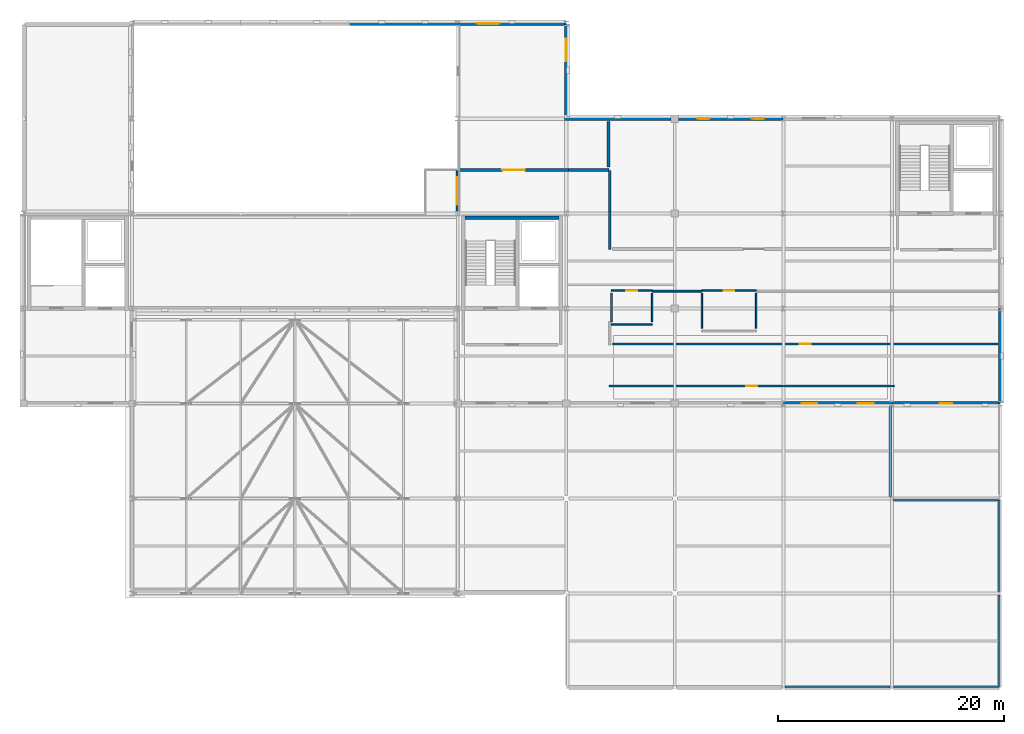
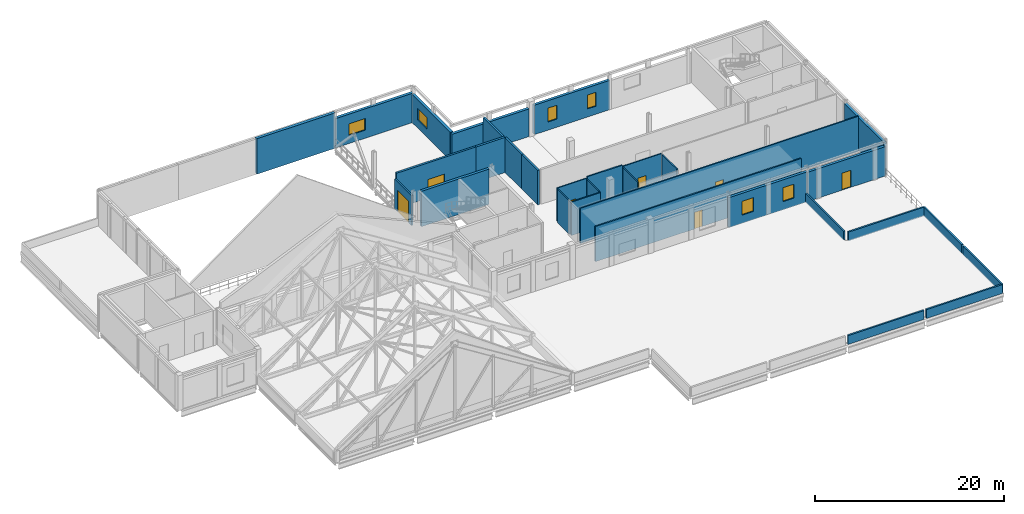
# One storey, part 23 of 26: 31 walls, 7 doors, 6 windows, 13 openings.
"""IFC4 building model written with IfcOpenShell, lengths in metres."""

from ifc_helpers import new_model, si_unit, direction, frame, frame_2d, origin, place, context, subcontext, project, spatial, rectangle, extrude, material, layer, layer_set, type_object, element, fill, save


model = new_model("IFC4")

# Units and contexts
model_context = context("Model", 3, precision=1e-05, world=origin(), true_north=direction((0.0, 1.0)))
body_context = subcontext(model_context, "Body", "Model", "MODEL_VIEW")
ifc_project = project(units=[si_unit("LENGTHUNIT", "METRE"), si_unit("AREAUNIT", "SQUARE_METRE"), si_unit("VOLUMEUNIT", "CUBIC_METRE"), si_unit("PLANEANGLEUNIT", "RADIAN"), si_unit("MASSUNIT", "GRAM", prefix="KILO")], contexts=[model_context])

# Site, building, storey
site_placement = place(None, origin())
site = spatial("IfcSite", under=ifc_project, at=site_placement, CompositionType="ELEMENT")
building_placement = place(site_placement, origin())
building = spatial("IfcBuilding", under=site, at=building_placement, Name="Lornevale Opera House", CompositionType="ELEMENT")
storey_placement = place(building_placement, frame((0.0, 0.0, 19.800048828125)))
storey = spatial("IfcBuildingStorey", under=building, at=storey_placement, Name="L05", CompositionType="ELEMENT", Elevation=19.800048828125)

# Wall, opening, door
ifc_material_1 = material(Name="Acoustic Mineral-Core Gypsum Partition", Category="gypsum")
ifc_layer_1 = layer(ifc_material_1, 0.25)
ifc_layer_set_1 = layer_set([ifc_layer_1], Name="Acoustic Mineral-Core Gypsum Partition")
wall_type_1 = type_object("IfcWallType", Name="Auditorium Box-in-Box Liner 250", PredefinedType="SOLIDWALL", material=ifc_layer_set_1)
wall_1_placement = place(storey_placement, frame((96.091064453125, 71.06005859375, 0.0), z_axis=(0.0, 0.0, 1.0), x_axis=(1.0, 0.0, 0.0)))
wall_1 = element("IfcWall", 1, at=wall_1_placement, inside=storey, type_object=wall_type_1, Name="L05 Partition WL-INT-0898", PredefinedType="SOLIDWALL", context=body_context, shape_type="SweptSolid", body=[
    extrude(rectangle(XDim=9.708984375, YDim=0.25, at=frame_2d((4.8544921875, 0.0))), origin(), (0.0, 0.0, 1.0), 4.550048828125),
])
opening_1_placement = place(wall_1_placement, frame((3.85498046875, 0.0, 0.0)))
opening_1 = element("IfcOpeningElement", 2, at=opening_1_placement, cuts=wall_1, Name="Opening DR-T14", PredefinedType="OPENING", context=body_context, shape_type="SweptSolid", body=[
    extrude(rectangle(XDim=2.0, YDim=2.39990234375, at=frame_2d((1.0, 1.199951171875))), frame((0.0, 0.135009765625, 0.0), z_axis=(0.0, -1.0, 0.0), x_axis=(1.0, 0.0, 0.0)), (0.0, 0.0, 1.0), 0.27001953125),
])
ifc_material_2 = material(Name="White Oak Acoustic Panelling", Category="wood")
ifc_layer_2 = layer(ifc_material_2, 2.39990234375)
ifc_layer_set_2 = layer_set([ifc_layer_2], Name="White Oak Acoustic Panelling")
door_type_1 = type_object("IfcDoorType", Name="Auditorium Acoustic Sound-Lock Pair 2000x2400", OperationType="NOTDEFINED", PredefinedType="DOOR", material=ifc_layer_set_2)
door_1_placement = place(opening_1_placement, origin())
door_1 = element("IfcDoor", 3, at=door_1_placement, inside=storey, type_object=door_type_1, Name="Auditorium AHU Plant Room Door", OperationType="DOUBLE_SWING_LEFT", OverallHeight=2.39990234375, OverallWidth=2.0, PredefinedType="DOOR", context=body_context, shape_type="SweptSolid", body=[
    extrude(rectangle(XDim=2.0, YDim=2.39990234375, at=frame_2d((1.0, 1.199951171875))), frame((0.0, 0.02490234375, 0.0), z_axis=(0.0, -1.0, 0.0), x_axis=(1.0, 0.0, 0.0)), (0.0, 0.0, 1.0), 0.050048828125),
])
fill(opening_1, door_1)

# Walls
wall_2_placement = place(storey_placement, frame((105.800048828125, 71.06005859375, 0.0), z_axis=(0.0, 0.0, 1.0), x_axis=(1.0, 0.0, 0.0)))
element("IfcWall", 4, at=wall_2_placement, inside=storey, type_object=wall_type_1, Name="L05 Partition WL-INT-0899", PredefinedType="SOLIDWALL", context=body_context, shape_type="SweptSolid", body=[
    extrude(rectangle(XDim=3.599853515625, YDim=0.25, at=frame_2d((1.7998046875, 0.0))), origin(), (0.0, 0.0, 1.0), 4.550048828125),
])
wall_3_placement = place(storey_placement, frame((109.340087890625, 71.31005859375, 0.0), z_axis=(0.0, 0.0, 1.0), x_axis=(0.0, 1.0, 0.0)))
element("IfcWall", 5, at=wall_3_placement, inside=storey, type_object=wall_type_1, Name="L05 Partition WL-INT-0904", PredefinedType="SOLIDWALL", context=body_context, shape_type="SweptSolid", body=[
    extrude(rectangle(XDim=4.0400390625, YDim=0.25, at=frame_2d((2.02001953125, 0.0))), origin(), (0.0, 0.0, 1.0), 4.47998046875),
])

# Wall, openings, windows
ifc_material_3 = material(Name="Queenston Buff Limestone Ashlar Masonry (25 MPa)", Category="masonry")
ifc_layer_3 = layer(ifc_material_3, 0.324951171875)
ifc_layer_set_3 = layer_set([ifc_layer_3], Name="Queenston Buff Limestone Ashlar Masonry (25 MPa)")
wall_type_2 = type_object("IfcWallType", Name="Backstage Limestone Facade Wall 325", PredefinedType="SOLIDWALL", material=ifc_layer_set_3)
wall_4_placement = place(storey_placement, frame((115.52490234375, 75.60009765625, 0.0), z_axis=(0.0, 0.0, 1.0), x_axis=(1.0, 0.0, 0.0)))
wall_4 = element("IfcWall", 6, at=wall_4_placement, inside=storey, type_object=wall_type_2, Name="Backstage Limestone Facade Wall 325 WL-EXT-0286", PredefinedType="SOLIDWALL", context=body_context, shape_type="SweptSolid", body=[
    extrude(rectangle(XDim=9.255126953125, YDim=0.324951171875, at=frame_2d((4.62744140625, 0.0))), origin(), (0.0, 0.0, 1.0), 3.806884765625),
])
opening_2_placement = place(wall_4_placement, frame((1.6708984375, 0.0, 1.050048828125)))
opening_2 = element("IfcOpeningElement", 7, at=opening_2_placement, cuts=wall_4, Name="Opening WN-T06", PredefinedType="OPENING", context=body_context, shape_type="SweptSolid", body=[
    extrude(rectangle(XDim=1.10009765625, YDim=1.800048828125, at=frame_2d((0.550048828125, 0.89990234375))), frame((0.0, 0.17236328125, 0.0), z_axis=(0.0, -1.0, 0.0), x_axis=(1.0, 0.0, 0.0)), (0.0, 0.0, 1.0), 0.344970703125),
])
opening_3_placement = place(wall_4_placement, frame((6.48388671875, 0.0, 1.050048828125)))
opening_3 = element("IfcOpeningElement", 8, at=opening_3_placement, cuts=wall_4, Name="Opening WN-T06", PredefinedType="OPENING", context=body_context, shape_type="SweptSolid", body=[
    extrude(rectangle(XDim=1.10009765625, YDim=1.800048828125, at=frame_2d((0.550048828125, 0.89990234375))), frame((0.0, 0.17236328125, 0.0), z_axis=(0.0, -1.0, 0.0), x_axis=(1.0, 0.0, 0.0)), (0.0, 0.0, 1.0), 0.344970703125),
])
ifc_material_4 = material(Name="Triple Low-E Insulated Glazing", Category="glass")
ifc_layer_4 = layer(ifc_material_4, 0.06005859375)
ifc_layer_set_4 = layer_set([ifc_layer_4], Name="Triple Low-E Insulated Glazing")
window_type_1 = type_object("IfcWindowType", Name="Dressing Suite Operable Window 1100x1800", PartitioningType="NOTDEFINED", PredefinedType="WINDOW", material=ifc_layer_set_4)
window_1_placement = place(opening_2_placement, origin())
window_1 = element("IfcWindow", 9, at=window_1_placement, inside=storey, type_object=window_type_1, Name="Dressing Suite Operable Window 1100x1800 WN-0117", OverallHeight=1.800048828125, OverallWidth=1.10009765625, PartitioningType="SINGLE_PANEL", PredefinedType="WINDOW", context=body_context, shape_type="SweptSolid", body=[
    extrude(rectangle(XDim=1.10009765625, YDim=1.800048828125, at=frame_2d((0.550048828125, 0.89990234375))), frame((0.0, 0.030029296875, 0.0), z_axis=(0.0, -1.0, 0.0), x_axis=(1.0, 0.0, 0.0)), (0.0, 0.0, 1.0), 0.06005859375),
])
fill(opening_2, window_1)
window_2_placement = place(opening_3_placement, origin())
window_2 = element("IfcWindow", 10, at=window_2_placement, inside=storey, type_object=window_type_1, Name="Dressing Suite Operable Window 1100x1800 WN-0118", OverallHeight=1.800048828125, OverallWidth=1.10009765625, PartitioningType="SINGLE_PANEL", PredefinedType="WINDOW", context=body_context, shape_type="SweptSolid", body=[
    extrude(rectangle(XDim=1.10009765625, YDim=1.800048828125, at=frame_2d((0.550048828125, 0.89990234375))), frame((0.0, 0.030029296875, 0.0), z_axis=(0.0, -1.0, 0.0), x_axis=(1.0, 0.0, 0.0)), (0.0, 0.0, 1.0), 0.06005859375),
])
fill(opening_3, window_2)

wall_5_placement = place(storey_placement, frame((134.3798828125, 50.39990234375, 0.0), z_axis=(0.0, 0.0, 1.0), x_axis=(-1.0, 0.0, 0.0)))
wall_5 = element("IfcWall", 11, at=wall_5_placement, inside=storey, type_object=wall_type_2, Name="Backstage Limestone Facade Wall 325 WL-EXT-0287", PredefinedType="SOLIDWALL", context=body_context, shape_type="SweptSolid", body=[
    extrude(rectangle(XDim=9.559814453125, YDim=0.324951171875, at=frame_2d((4.77978515625, 0.0))), origin(), (0.0, 0.0, 1.0), 3.876953125),
])
opening_4_placement = place(wall_5_placement, frame((1.593994140625, 0.0, 1.050048828125)))
opening_4 = element("IfcOpeningElement", 12, at=opening_4_placement, cuts=wall_5, Name="Opening WN-T05", PredefinedType="OPENING", context=body_context, shape_type="SweptSolid", body=[
    extrude(rectangle(XDim=1.39990234375, YDim=1.800048828125, at=frame_2d((0.699951171875, 0.89990234375))), frame((0.0, 0.17236328125, 0.0), z_axis=(0.0, -1.0, 0.0), x_axis=(1.0, 0.0, 0.0)), (0.0, 0.0, 1.0), 0.344970703125),
])
opening_5_placement = place(wall_5_placement, frame((6.56591796875, 0.0, 1.050048828125)))
opening_5 = element("IfcOpeningElement", 13, at=opening_5_placement, cuts=wall_5, Name="Opening WN-T05", PredefinedType="OPENING", context=body_context, shape_type="SweptSolid", body=[
    extrude(rectangle(XDim=1.39990234375, YDim=1.800048828125, at=frame_2d((0.699951171875, 0.89990234375))), frame((0.0, 0.17236328125, 0.0), z_axis=(0.0, -1.0, 0.0), x_axis=(1.0, 0.0, 0.0)), (0.0, 0.0, 1.0), 0.344970703125),
])
ifc_layer_5 = layer(ifc_material_4, 0.06005859375)
ifc_layer_set_5 = layer_set([ifc_layer_5], Name="Triple Low-E Insulated Glazing")
window_type_2 = type_object("IfcWindowType", Name="Dressing Suite Operable Window 1400x1800", PartitioningType="NOTDEFINED", PredefinedType="WINDOW", material=ifc_layer_set_5)
window_3_placement = place(opening_4_placement, origin())
window_3 = element("IfcWindow", 14, at=window_3_placement, inside=storey, type_object=window_type_2, Name="Dressing Suite Operable Window 1400x1800 WN-0119", OverallHeight=1.800048828125, OverallWidth=1.39990234375, PartitioningType="SINGLE_PANEL", PredefinedType="WINDOW", context=body_context, shape_type="SweptSolid", body=[
    extrude(rectangle(XDim=1.39990234375, YDim=1.800048828125, at=frame_2d((0.699951171875, 0.89990234375))), frame((0.0, 0.030029296875, 0.0), z_axis=(0.0, -1.0, 0.0), x_axis=(1.0, 0.0, 0.0)), (0.0, 0.0, 1.0), 0.06005859375),
])
fill(opening_4, window_3)
window_4_placement = place(opening_5_placement, origin())
window_4 = element("IfcWindow", 15, at=window_4_placement, inside=storey, type_object=window_type_2, Name="Dressing Suite Operable Window 1400x1800 WN-0120", OverallHeight=1.800048828125, OverallWidth=1.39990234375, PartitioningType="SINGLE_PANEL", PredefinedType="WINDOW", context=body_context, shape_type="SweptSolid", body=[
    extrude(rectangle(XDim=1.39990234375, YDim=1.800048828125, at=frame_2d((0.699951171875, 0.89990234375))), frame((0.0, 0.030029296875, 0.0), z_axis=(0.0, -1.0, 0.0), x_axis=(1.0, 0.0, 0.0)), (0.0, 0.0, 1.0), 0.06005859375),
])
fill(opening_5, window_4)

# Wall, opening, door
wall_6_placement = place(storey_placement, frame((143.97998046875, 50.39990234375, 0.0), z_axis=(0.0, 0.0, 1.0), x_axis=(-1.0, 0.0, 0.0)))
wall_6 = element("IfcWall", 16, at=wall_6_placement, inside=storey, type_object=wall_type_2, Name="Backstage Limestone Facade Wall 325 WL-EXT-0289", PredefinedType="SOLIDWALL", context=body_context, shape_type="SweptSolid", body=[
    extrude(rectangle(XDim=9.56005859375, YDim=0.324951171875, at=frame_2d((4.780029296875, 0.0))), origin(), (0.0, 0.0, 1.0), 3.799072265625),
])
opening_6_placement = place(wall_6_placement, frame((4.219970703125, 0.0, 0.0)))
opening_6 = element("IfcOpeningElement", 17, at=opening_6_placement, cuts=wall_6, Name="Opening DR-T04", PredefinedType="OPENING", context=body_context, shape_type="SweptSolid", body=[
    extrude(rectangle(XDim=1.1201171875, YDim=2.199951171875, at=frame_2d((0.56005859375, 1.10009765625))), frame((0.0, 0.17236328125, 0.0), z_axis=(0.0, -1.0, 0.0), x_axis=(1.0, 0.0, 0.0)), (0.0, 0.0, 1.0), 0.344970703125),
])
ifc_material_5 = material(Name="Anodized Oxide-Green Aluminium Framing", Category="aluminium")
ifc_layer_6 = layer(ifc_material_5, 0.050048828125)
ifc_layer_set_6 = layer_set([ifc_layer_6], Name="Anodized Oxide-Green Aluminium Framing")
door_type_2 = type_object("IfcDoorType", Name="Roof Garden Access Door 1120x2200", OperationType="NOTDEFINED", PredefinedType="DOOR", material=ifc_layer_set_6)
door_2_placement = place(opening_6_placement, origin())
door_2 = element("IfcDoor", 18, at=door_2_placement, inside=storey, type_object=door_type_2, Name="Roof Garden Access Door 1120x2200 DR-EXT-043", OperationType="SINGLE_SWING_RIGHT", OverallHeight=2.199951171875, OverallWidth=1.1201171875, PredefinedType="DOOR", context=body_context, shape_type="SweptSolid", body=[
    extrude(rectangle(XDim=1.1201171875, YDim=2.199951171875, at=frame_2d((0.56005859375, 1.10009765625))), frame((0.0, 0.02490234375, 0.0), z_axis=(0.0, -1.0, 0.0), x_axis=(1.0, 0.0, 0.0)), (0.0, 0.0, 1.0), 0.050048828125),
])
fill(opening_6, door_2)

# Walls
wall_7_placement = place(storey_placement, frame((144.0, 58.780029296875, 0.0), z_axis=(0.0, 0.0, 1.0), x_axis=(0.0, -1.0, 0.0)))
element("IfcWall", 19, at=wall_7_placement, inside=storey, type_object=wall_type_2, Name="Backstage Limestone Facade Wall 325 WL-EXT-0290", PredefinedType="SOLIDWALL", context=body_context, shape_type="SweptSolid", body=[
    extrude(rectangle(XDim=8.360107421875, YDim=0.324951171875, at=frame_2d((4.18017578125, 0.0))), origin(), (0.0, 0.0, 1.0), 4.248046875),
])
ifc_material_6 = material(Name="Concrete 40 MPa (CSA A23.1 C-1)", Category="concrete")
ifc_layer_7 = layer(ifc_material_6, 0.320068359375)
ifc_layer_set_7 = layer_set([ifc_layer_7], Name="Concrete 40 MPa (CSA A23.1 C-1)")
wall_type_3 = type_object("IfcWallType", Name="Core Shear Wall 320", PredefinedType="SHEAR", material=ifc_layer_set_7)
wall_8_placement = place(storey_placement, frame((104.93994140625, 66.840087890625, 0.0), z_axis=(0.0, 0.0, 1.0), x_axis=(-1.0, 0.0, 0.0)))
element("IfcWall", 20, at=wall_8_placement, inside=storey, type_object=wall_type_3, Name="Stagehouse Firefighter Core West Core Shear Wall 320 WL-COR-0241", PredefinedType="SHEAR", context=body_context, shape_type="SweptSolid", body=[
    extrude(rectangle(XDim=8.280029296875, YDim=0.320068359375, at=frame_2d((4.14013671875, 0.0))), origin(), (0.0, 0.0, 1.0), 4.579833984375),
])

# Wall, opening, door
ifc_layer_8 = layer(ifc_material_1, 0.1650390625)
ifc_layer_set_8 = layer_set([ifc_layer_8], Name="Acoustic Mineral-Core Gypsum Partition")
wall_type_4 = type_object("IfcWallType", Name="Corridor Rated Partition 165", PredefinedType="PARTITIONING", material=ifc_layer_set_8)
wall_9_placement = place(storey_placement, frame((95.93994140625, 67.39990234375, 0.0), z_axis=(0.0, 0.0, 1.0), x_axis=(0.0, 1.0, 0.0)))
wall_9 = element("IfcWall", 21, at=wall_9_placement, inside=storey, type_object=wall_type_4, Name="L05 Partition WL-INT-0893", PredefinedType="PARTITIONING", context=body_context, shape_type="SweptSolid", body=[
    extrude(rectangle(XDim=3.580078125, YDim=0.1650390625, at=frame_2d((1.7900390625, 0.0))), origin(), (0.0, 0.0, 1.0), 3.876953125),
])
opening_7_placement = place(wall_9_placement, frame((0.590087890625, 0.0, 0.0)))
opening_7 = element("IfcOpeningElement", 22, at=opening_7_placement, cuts=wall_9, Name="Opening DR-T16", PredefinedType="OPENING", context=body_context, shape_type="SweptSolid", body=[
    extrude(rectangle(XDim=2.39990234375, YDim=2.800048828125, at=frame_2d((1.199951171875, 1.39990234375))), frame((0.0, 0.092529296875, 0.0), z_axis=(0.0, -1.0, 0.0), x_axis=(1.0, 0.0, 0.0)), (0.0, 0.0, 1.0), 0.18505859375),
])
ifc_material_7 = material(Name="Painted Hollow Metal Door Steel", Category="steel")
ifc_layer_9 = layer(ifc_material_7, 2.800048828125)
ifc_layer_set_9 = layer_set([ifc_layer_9], Name="Painted Hollow Metal Door Steel")
door_type_3 = type_object("IfcDoorType", Name="Stage Scenery Double Door 2400x2800", OperationType="NOTDEFINED", PredefinedType="DOOR", material=ifc_layer_set_9)
door_3_placement = place(opening_7_placement, origin())
door_3 = element("IfcDoor", 23, at=door_3_placement, inside=storey, type_object=door_type_3, Name="Fly Tower Loading Gallery Door", OperationType="DOUBLE_SWING_LEFT", OverallHeight=2.800048828125, OverallWidth=2.39990234375, PredefinedType="DOOR", context=body_context, shape_type="SweptSolid", body=[
    extrude(rectangle(XDim=2.39990234375, YDim=2.800048828125, at=frame_2d((1.199951171875, 1.39990234375))), frame((0.0, 0.02490234375, 0.0), z_axis=(0.0, -1.0, 0.0), x_axis=(1.0, 0.0, 0.0)), (0.0, 0.0, 1.0), 0.050048828125),
])
fill(opening_7, door_3)

wall_10_placement = place(storey_placement, frame((109.39990234375, 51.93994140625, 0.0), z_axis=(0.0, 0.0, 1.0), x_axis=(1.0, 0.0, 0.0)))
wall_10 = element("IfcWall", 24, at=wall_10_placement, inside=storey, type_object=wall_type_4, Name="L05 Partition WL-INT-0894", PredefinedType="PARTITIONING", context=body_context, shape_type="SweptSolid", body=[
    extrude(rectangle(XDim=25.2001953125, YDim=0.1650390625, at=frame_2d((12.60009765625, 0.0))), origin(), (0.0, 0.0, 1.0), 4.550048828125),
])
opening_8_placement = place(wall_10_placement, frame((12.125, 0.0, 0.0)))
opening_8 = element("IfcOpeningElement", 25, at=opening_8_placement, cuts=wall_10, Name="Opening DR-T20", PredefinedType="OPENING", context=body_context, shape_type="SweptSolid", body=[
    extrude(rectangle(XDim=0.949951171875, YDim=2.14990234375, at=frame_2d((0.47509765625, 1.074951171875))), frame((0.0, 0.092529296875, 0.0), z_axis=(0.0, -1.0, 0.0), x_axis=(1.0, 0.0, 0.0)), (0.0, 0.0, 1.0), 0.18505859375),
])
ifc_layer_10 = layer(ifc_material_2, 2.14990234375)
ifc_layer_set_10 = layer_set([ifc_layer_10], Name="White Oak Acoustic Panelling")
door_type_4 = type_object("IfcDoorType", Name="Soloist Dressing Door R 950x2150", OperationType="NOTDEFINED", PredefinedType="DOOR", material=ifc_layer_set_10)
door_4_placement = place(opening_8_placement, origin())
door_4 = element("IfcDoor", 26, at=door_4_placement, inside=storey, type_object=door_type_4, Name="Artistic & Production Administration Office Door", OperationType="SINGLE_SWING_RIGHT", OverallHeight=2.14990234375, OverallWidth=0.949951171875, PredefinedType="DOOR", context=body_context, shape_type="SweptSolid", body=[
    extrude(rectangle(XDim=0.949951171875, YDim=2.14990234375, at=frame_2d((0.47509765625, 1.074951171875))), frame((0.0, 0.02490234375, 0.0), z_axis=(0.0, -1.0, 0.0), x_axis=(1.0, 0.0, 0.0)), (0.0, 0.0, 1.0), 0.050048828125),
])
fill(opening_8, door_4)

# Wall
wall_11_placement = place(storey_placement, frame((113.260009765625, 60.340087890625, 0.0), z_axis=(0.0, 0.0, 1.0), x_axis=(1.0, 0.0, 0.0)))
element("IfcWall", 27, at=wall_11_placement, inside=storey, type_object=wall_type_4, Name="L05 Partition WL-INT-0901", PredefinedType="PARTITIONING", context=body_context, shape_type="SweptSolid", body=[
    extrude(rectangle(XDim=4.280029296875, YDim=0.1650390625, at=frame_2d((2.14013671875, 0.0))), origin(), (0.0, 0.0, 1.0), 4.550048828125),
])

# Wall, opening, door
wall_12_placement = place(storey_placement, frame((109.7099609375, 55.659912109375, 0.0), z_axis=(0.0, 0.0, 1.0), x_axis=(1.0, 0.0, 0.0)))
wall_12 = element("IfcWall", 28, at=wall_12_placement, inside=storey, type_object=wall_type_4, Name="L05 Partition WL-INT-0903", PredefinedType="PARTITIONING", context=body_context, shape_type="SweptSolid", body=[
    extrude(rectangle(XDim=34.0400390625, YDim=0.1650390625, at=frame_2d((17.02001953125, 0.0))), origin(), (0.0, 0.0, 1.0), 4.550048828125),
])
opening_9_placement = place(wall_12_placement, frame((16.544921875, 0.0, 0.0)))
opening_9 = element("IfcOpeningElement", 29, at=opening_9_placement, cuts=wall_12, Name="Opening DR-T19", PredefinedType="OPENING", context=body_context, shape_type="SweptSolid", body=[
    extrude(rectangle(XDim=0.949951171875, YDim=2.14990234375, at=frame_2d((0.47509765625, 1.074951171875))), frame((0.0, 0.092529296875, 0.0), z_axis=(0.0, -1.0, 0.0), x_axis=(1.0, 0.0, 0.0)), (0.0, 0.0, 1.0), 0.18505859375),
])
ifc_layer_11 = layer(ifc_material_2, 2.14990234375)
ifc_layer_set_11 = layer_set([ifc_layer_11], Name="White Oak Acoustic Panelling")
door_type_5 = type_object("IfcDoorType", Name="Soloist Dressing Door L 950x2150", OperationType="NOTDEFINED", PredefinedType="DOOR", material=ifc_layer_set_11)
door_5_placement = place(opening_9_placement, origin())
door_5 = element("IfcDoor", 30, at=door_5_placement, inside=storey, type_object=door_type_5, Name="Production Dramaturgy Office Door", OperationType="SINGLE_SWING_LEFT", OverallHeight=2.14990234375, OverallWidth=0.949951171875, PredefinedType="DOOR", context=body_context, shape_type="SweptSolid", body=[
    extrude(rectangle(XDim=0.949951171875, YDim=2.14990234375, at=frame_2d((0.47509765625, 1.074951171875))), frame((0.0, 0.02490234375, 0.0), z_axis=(0.0, -1.0, 0.0), x_axis=(1.0, 0.0, 0.0)), (0.0, 0.0, 1.0), 0.050048828125),
])
fill(opening_9, door_5)

# Walls
ifc_material_8 = material(Name="Precast Concrete 40 MPa (CSA A23.1 C-1)", Category="concrete")
ifc_layer_12 = layer(ifc_material_8, 0.360107421875)
ifc_layer_set_12 = layer_set([ifc_layer_12], Name="Precast Concrete 40 MPa (CSA A23.1 C-1)")
wall_type_5 = type_object("IfcWallType", Name="Fly Tower Acoustic Precast Wall 360", PredefinedType="SOLIDWALL", material=ifc_layer_set_12)
wall_13_placement = place(storey_placement, frame((86.405029296875, 84.0, 0.0), z_axis=(0.0, 0.0, 1.0), x_axis=(1.0, 0.0, 0.0)))
element("IfcWall", 31, at=wall_13_placement, inside=storey, type_object=wall_type_5, Name="Fly Tower Acoustic Precast Wall 360 WL-EXT-0278", PredefinedType="SOLIDWALL", context=body_context, shape_type="SweptSolid", body=[
    extrude(rectangle(XDim=9.574951171875, YDim=0.360107421875, at=frame_2d((4.78759765625, 0.0))), origin(), (0.0, 0.0, 1.0), 4.579833984375),
])
ifc_layer_13 = layer(ifc_material_8, 0.195068359375)
ifc_layer_set_13 = layer_set([ifc_layer_13], Name="Precast Concrete 40 MPa (CSA A23.1 C-1)")
wall_type_6 = type_object("IfcWallType", Name="Green Roof Parapet Wall 195", PredefinedType="PARAPET", material=ifc_layer_set_13)
wall_14_placement = place(storey_placement, frame((134.27001953125, 50.239990234375, 0.0), z_axis=(0.0, 0.0, 1.0), x_axis=(0.0, -1.0, 0.0)))
element("IfcWall", 32, at=wall_14_placement, inside=storey, type_object=wall_type_6, Name="Green Roof Parapet Wall 195 0470", PredefinedType="PARAPET", context=body_context, shape_type="SweptSolid", body=[
    extrude(rectangle(XDim=8.080078125, YDim=0.195068359375, at=frame_2d((4.0400390625, 0.0))), origin(), (0.0, 0.0, 1.0), 1.14990234375),
])
wall_15_placement = place(storey_placement, frame((134.56005859375, 41.8701171875, 0.0), z_axis=(0.0, 0.0, 1.0), x_axis=(1.0, 0.0, 0.0)))
element("IfcWall", 33, at=wall_15_placement, inside=storey, type_object=wall_type_6, Name="Green Roof Parapet Wall 195 0471", PredefinedType="PARAPET", context=body_context, shape_type="SweptSolid", body=[
    extrude(rectangle(XDim=9.280029296875, YDim=0.195068359375, at=frame_2d((4.64013671875, 0.0))), origin(), (0.0, 0.0, 1.0), 1.14990234375),
])
wall_16_placement = place(storey_placement, frame((143.8701171875, 41.840087890625, 0.0), z_axis=(0.0, 0.0, 1.0), x_axis=(0.0, -1.0, 0.0)))
element("IfcWall", 34, at=wall_16_placement, inside=storey, type_object=wall_type_6, Name="Green Roof Parapet Wall 195 0472", PredefinedType="PARAPET", context=body_context, shape_type="SweptSolid", body=[
    extrude(rectangle(XDim=8.080078125, YDim=0.195068359375, at=frame_2d((4.0400390625, 0.0))), origin(), (0.0, 0.0, 1.0), 1.14990234375),
])
wall_17_placement = place(storey_placement, frame((143.8701171875, 33.43994140625, 0.0), z_axis=(0.0, 0.0, 1.0), x_axis=(0.0, -1.0, 0.0)))
element("IfcWall", 35, at=wall_17_placement, inside=storey, type_object=wall_type_6, Name="Green Roof Parapet Wall 195 0473", PredefinedType="PARAPET", context=body_context, shape_type="SweptSolid", body=[
    extrude(rectangle(XDim=8.079833984375, YDim=0.195068359375, at=frame_2d((4.0400390625, 0.0))), origin(), (0.0, 0.0, 1.0), 1.14990234375),
])
for number, where, z_axis, x_axis, name in (
    (36, (143.840087890625, 25.330078125, 0.0), (0.0, 0.0, 1.0), (-1.0, 0.0, 0.0), "Green Roof Parapet Wall 195 0474"),
    (37, (134.239990234375, 25.330078125, 0.0), (0.0, 0.0, 1.0), (-1.0, 0.0, 0.0), "Green Roof Parapet Wall 195 0475"),
):
    element("IfcWall", number, at=place(storey_placement, frame(where, z_axis=z_axis, x_axis=x_axis)), inside=storey, type_object=wall_type_6, Name=name, PredefinedType="PARAPET", context=body_context, shape_type="SweptSolid", body=[
        extrude(rectangle(XDim=9.280029296875, YDim=0.195068359375, at=frame_2d((4.64013671875, 0.0))), origin(), (0.0, 0.0, 1.0), 1.14990234375),
    ])

# Wall, opening, window
ifc_material_9 = material(Name="Credit Valley Sandstone Ashlar Masonry (25 MPa)", Category="masonry")
ifc_layer_14 = layer(ifc_material_9, 0.340087890625)
ifc_layer_set_14 = layer_set([ifc_layer_14], Name="Credit Valley Sandstone Ashlar Masonry (25 MPa)")
wall_type_7 = type_object("IfcWallType", Name="Polychrome Drum Cavity Wall 340", PredefinedType="SOLIDWALL", material=ifc_layer_set_14)
wall_18_placement = place(storey_placement, frame((96.02001953125, 84.0, 0.0), z_axis=(0.0, 0.0, 1.0), x_axis=(1.0, 0.0, 0.0)))
wall_18 = element("IfcWall", 38, at=wall_18_placement, inside=storey, type_object=wall_type_7, Name="Polychrome Drum Cavity Wall 340 WL-EXT-0281", PredefinedType="SOLIDWALL", context=body_context, shape_type="SweptSolid", body=[
    extrude(rectangle(XDim=9.56005859375, YDim=0.340087890625, at=frame_2d((4.780029296875, 0.0))), origin(), (0.0, 0.0, 1.0), 3.799072265625),
])
opening_10_placement = place(wall_18_placement, frame((1.677001953125, 0.0, 1.050048828125)))
opening_10 = element("IfcOpeningElement", 39, at=opening_10_placement, cuts=wall_18, Name="Opening WN-T11", PredefinedType="OPENING", context=body_context, shape_type="SweptSolid", body=[
    extrude(rectangle(XDim=2.0, YDim=1.5, at=frame_2d((1.0, 0.75))), frame((0.0, 0.179931640625, 0.0), z_axis=(0.0, -1.0, 0.0), x_axis=(1.0, 0.0, 0.0)), (0.0, 0.0, 1.0), 0.360107421875),
])
ifc_layer_15 = layer(ifc_material_4, 0.06005859375)
ifc_layer_set_15 = layer_set([ifc_layer_15], Name="Triple Low-E Insulated Glazing")
window_type_3 = type_object("IfcWindowType", Name="Workshop Operable Window 2000x1500", PartitioningType="NOTDEFINED", PredefinedType="WINDOW", material=ifc_layer_set_15)
window_5_placement = place(opening_10_placement, origin())
window_5 = element("IfcWindow", 40, at=window_5_placement, inside=storey, type_object=window_type_3, Name="Workshop Operable Window 2000x1500 WN-0113", OverallHeight=1.5, OverallWidth=2.0, PartitioningType="SINGLE_PANEL", PredefinedType="WINDOW", context=body_context, shape_type="SweptSolid", body=[
    extrude(rectangle(XDim=2.0, YDim=1.5, at=frame_2d((1.0, 0.75))), frame((0.0, 0.030029296875, 0.0), z_axis=(0.0, -1.0, 0.0), x_axis=(1.0, 0.0, 0.0)), (0.0, 0.0, 1.0), 0.06005859375),
])
fill(opening_10, window_5)

wall_19_placement = place(storey_placement, frame((105.60009765625, 83.97998046875, 0.0), z_axis=(0.0, 0.0, 1.0), x_axis=(0.0, -1.0, 0.0)))
wall_19 = element("IfcWall", 41, at=wall_19_placement, inside=storey, type_object=wall_type_7, Name="Polychrome Drum Cavity Wall 340 WL-EXT-0282", PredefinedType="SOLIDWALL", context=body_context, shape_type="SweptSolid", body=[
    extrude(rectangle(XDim=8.21337890625, YDim=0.340087890625, at=frame_2d((4.106689453125, 0.0))), origin(), (0.0, 0.0, 1.0), 3.64599609375),
])
opening_11_placement = place(wall_19_placement, frame((1.300048828125, 0.0, 1.050048828125)))
opening_11 = element("IfcOpeningElement", 42, at=opening_11_placement, cuts=wall_19, Name="Opening WN-T11", PredefinedType="OPENING", context=body_context, shape_type="SweptSolid", body=[
    extrude(rectangle(XDim=2.0, YDim=1.5, at=frame_2d((1.0, 0.75))), frame((0.0, 0.179931640625, 0.0), z_axis=(0.0, -1.0, 0.0), x_axis=(1.0, 0.0, 0.0)), (0.0, 0.0, 1.0), 0.360107421875),
])
window_6_placement = place(opening_11_placement, origin())
window_6 = element("IfcWindow", 43, at=window_6_placement, inside=storey, type_object=window_type_3, Name="Workshop Operable Window 2000x1500 WN-0114", OverallHeight=1.5, OverallWidth=2.0, PartitioningType="SINGLE_PANEL", PredefinedType="WINDOW", context=body_context, shape_type="SweptSolid", body=[
    extrude(rectangle(XDim=2.0, YDim=1.5, at=frame_2d((1.0, 0.75))), frame((0.0, 0.030029296875, 0.0), z_axis=(0.0, -1.0, 0.0), x_axis=(1.0, 0.0, 0.0)), (0.0, 0.0, 1.0), 0.06005859375),
])
fill(opening_11, window_6)

# Walls
wall_20_placement = place(storey_placement, frame((105.443603515625, 75.60009765625, 0.0), z_axis=(0.0, 0.0, 1.0), x_axis=(1.0, 0.0, 0.0)))
element("IfcWall", 44, at=wall_20_placement, inside=storey, type_object=wall_type_7, Name="Polychrome Drum Cavity Wall 340 WL-EXT-0284", PredefinedType="SOLIDWALL", context=body_context, shape_type="SweptSolid", body=[
    extrude(rectangle(XDim=9.431396484375, YDim=0.340087890625, at=frame_2d((4.7158203125, 0.0))), origin(), (0.0, 0.0, 1.0), 3.575927734375),
])
ifc_layer_16 = layer(ifc_material_1, 0.22998046875)
ifc_layer_set_16 = layer_set([ifc_layer_16], Name="Acoustic Mineral-Core Gypsum Partition")
wall_type_8 = type_object("IfcWallType", Name="Rehearsal Studio Acoustic Wall 230", PredefinedType="SOLIDWALL", material=ifc_layer_set_16)
wall_21_placement = place(storey_placement, frame((109.4599609375, 67.39990234375, 0.0), z_axis=(0.0, 0.0, 1.0), x_axis=(0.0, 1.0, 0.0)))
element("IfcWall", 45, at=wall_21_placement, inside=storey, type_object=wall_type_8, Name="L05 Partition WL-INT-0895", PredefinedType="SOLIDWALL", context=body_context, shape_type="SweptSolid", body=[
    extrude(rectangle(XDim=3.60009765625, YDim=0.22998046875, at=frame_2d((1.800048828125, 0.0))), origin(), (0.0, 0.0, 1.0), 4.47998046875),
])
wall_22_placement = place(storey_placement, frame((109.4599609375, 64.0, 0.0), z_axis=(0.0, 0.0, 1.0), x_axis=(0.0, 1.0, 0.0)))
element("IfcWall", 46, at=wall_22_placement, inside=storey, type_object=wall_type_8, Name="L05 Partition WL-INT-0896", PredefinedType="SOLIDWALL", context=body_context, shape_type="SweptSolid", body=[
    extrude(rectangle(XDim=3.39990234375, YDim=0.22998046875, at=frame_2d((1.699951171875, 0.0))), origin(), (0.0, 0.0, 1.0), 4.47998046875),
])

# Wall, opening, door
ifc_material_10 = material(Name="Moisture-Resistant Ceramic & Gypsum Partition", Category="gypsum")
ifc_layer_17 = layer(ifc_material_10, 0.139892578125)
ifc_layer_set_17 = layer_set([ifc_layer_17], Name="Moisture-Resistant Ceramic & Gypsum Partition")
wall_type_9 = type_object("IfcWallType", Name="Washroom Moisture Partition 140", PredefinedType="PARTITIONING", material=ifc_layer_set_17)
wall_23_placement = place(storey_placement, frame((117.60009765625, 60.39990234375, 0.0), z_axis=(0.0, 0.0, 1.0), x_axis=(1.0, 0.0, 0.0)))
wall_23 = element("IfcWall", 47, at=wall_23_placement, inside=storey, type_object=wall_type_9, Name="Administration Staff Washroom N Wall WL-INT-0513", PredefinedType="PARTITIONING", context=body_context, shape_type="SweptSolid", body=[
    extrude(rectangle(XDim=4.7998046875, YDim=0.139892578125, at=frame_2d((2.39990234375, 0.0))), origin(), (0.0, 0.0, 1.0), 4.320068359375),
])
opening_12_placement = place(wall_23_placement, frame((1.925048828125, 0.0, 0.0)))
opening_12 = element("IfcOpeningElement", 48, at=opening_12_placement, cuts=wall_23, Name="Opening DR-T22", PredefinedType="OPENING", context=body_context, shape_type="SweptSolid", body=[
    extrude(rectangle(XDim=0.949951171875, YDim=2.14990234375, at=frame_2d((0.47509765625, 1.074951171875))), frame((0.0, 0.079833984375, 0.0), z_axis=(0.0, -1.0, 0.0), x_axis=(1.0, 0.0, 0.0)), (0.0, 0.0, 1.0), 0.159912109375),
])
ifc_layer_18 = layer(ifc_material_2, 2.14990234375)
ifc_layer_set_18 = layer_set([ifc_layer_18], Name="White Oak Acoustic Panelling")
door_type_6 = type_object("IfcDoorType", Name="Washroom Door R 950x2150", OperationType="NOTDEFINED", PredefinedType="DOOR", material=ifc_layer_set_18)
door_6_placement = place(opening_12_placement, origin())
door_6 = element("IfcDoor", 49, at=door_6_placement, inside=storey, type_object=door_type_6, Name="Administration Staff Washroom Door", OperationType="SINGLE_SWING_RIGHT", OverallHeight=2.14990234375, OverallWidth=0.949951171875, PredefinedType="DOOR", context=body_context, shape_type="SweptSolid", body=[
    extrude(rectangle(XDim=0.949951171875, YDim=2.14990234375, at=frame_2d((0.47509765625, 1.074951171875))), frame((0.0, 0.02490234375, 0.0), z_axis=(0.0, -1.0, 0.0), x_axis=(1.0, 0.0, 0.0)), (0.0, 0.0, 1.0), 0.050048828125),
])
fill(opening_12, door_6)

# Walls
for number, where, z_axis, x_axis, name in (
    (50, (117.60009765625, 57.050048828125, 0.0), (0.0, 0.0, 1.0), (0.0, 1.0, 0.0), "Administration Staff Washroom W Wall WL-INT-0514"),
    (51, (122.39990234375, 57.050048828125, 0.0), (0.0, 0.0, 1.0), (0.0, 1.0, 0.0), "Administration Staff Washroom E Wall WL-INT-0515"),
):
    element("IfcWall", number, at=place(storey_placement, frame(where, z_axis=z_axis, x_axis=x_axis)), inside=storey, type_object=wall_type_9, Name=name, PredefinedType="PARTITIONING", context=body_context, shape_type="SweptSolid", body=[
        extrude(rectangle(XDim=3.099853515625, YDim=0.139892578125, at=frame_2d((1.5498046875, 0.0))), origin(), (0.0, 0.0, 1.0), 4.320068359375),
    ])
wall_24_placement = place(storey_placement, frame((109.60009765625, 57.39990234375, 0.0), z_axis=(0.0, 0.0, 1.0), x_axis=(1.0, 0.0, 0.0)))
element("IfcWall", 52, at=wall_24_placement, inside=storey, type_object=wall_type_9, Name="Technical Staff Accessible WC S Wall WL-INT-0516", PredefinedType="PARTITIONING", context=body_context, shape_type="SweptSolid", body=[
    extrude(rectangle(XDim=3.599853515625, YDim=0.139892578125, at=frame_2d((1.7998046875, 0.0))), origin(), (0.0, 0.0, 1.0), 4.320068359375),
])

# Wall, opening, door
wall_25_placement = place(storey_placement, frame((109.60009765625, 60.39990234375, 0.0), z_axis=(0.0, 0.0, 1.0), x_axis=(1.0, 0.0, 0.0)))
wall_25 = element("IfcWall", 53, at=wall_25_placement, inside=storey, type_object=wall_type_9, Name="Technical Staff Accessible WC N Wall WL-INT-0517", PredefinedType="PARTITIONING", context=body_context, shape_type="SweptSolid", body=[
    extrude(rectangle(XDim=3.599853515625, YDim=0.139892578125, at=frame_2d((1.7998046875, 0.0))), origin(), (0.0, 0.0, 1.0), 4.320068359375),
])
opening_13_placement = place(wall_25_placement, frame((1.300048828125, 0.0, 0.0)))
opening_13 = element("IfcOpeningElement", 54, at=opening_13_placement, cuts=wall_25, Name="Opening DR-T23", PredefinedType="OPENING", context=body_context, shape_type="SweptSolid", body=[
    extrude(rectangle(XDim=1.0, YDim=2.14990234375, at=frame_2d((0.5, 1.074951171875))), frame((0.0, 0.079833984375, 0.0), z_axis=(0.0, -1.0, 0.0), x_axis=(1.0, 0.0, 0.0)), (0.0, 0.0, 1.0), 0.159912109375),
])
ifc_layer_19 = layer(ifc_material_2, 2.14990234375)
ifc_layer_set_19 = layer_set([ifc_layer_19], Name="White Oak Acoustic Panelling")
door_type_7 = type_object("IfcDoorType", Name="Accessible WC Door L 1000x2150", OperationType="NOTDEFINED", PredefinedType="DOOR", material=ifc_layer_set_19)
door_7_placement = place(opening_13_placement, origin())
door_7 = element("IfcDoor", 55, at=door_7_placement, inside=storey, type_object=door_type_7, Name="Technical Staff Accessible WC Door", OperationType="SINGLE_SWING_LEFT", OverallHeight=2.14990234375, OverallWidth=1.0, PredefinedType="DOOR", context=body_context, shape_type="SweptSolid", body=[
    extrude(rectangle(XDim=1.0, YDim=2.14990234375, at=frame_2d((0.5, 1.074951171875))), frame((0.0, 0.02490234375, 0.0), z_axis=(0.0, -1.0, 0.0), x_axis=(1.0, 0.0, 0.0)), (0.0, 0.0, 1.0), 0.050048828125),
])
fill(opening_13, door_7)

# Walls
for number, where, z_axis, x_axis, name in (
    (56, (109.60009765625, 57.64990234375, 0.0), (0.0, 0.0, 1.0), (0.0, 1.0, 0.0), "Technical Staff Accessible WC W Wall WL-INT-0518"),
    (57, (113.199951171875, 57.64990234375, 0.0), (0.0, 0.0, 1.0), (0.0, 1.0, 0.0), "Technical Staff Accessible WC E Wall WL-INT-0519"),
):
    element("IfcWall", number, at=place(storey_placement, frame(where, z_axis=z_axis, x_axis=x_axis)), inside=storey, type_object=wall_type_9, Name=name, PredefinedType="PARTITIONING", context=body_context, shape_type="SweptSolid", body=[
        extrude(rectangle(XDim=2.5, YDim=0.139892578125, at=frame_2d((1.25, 0.0))), origin(), (0.0, 0.0, 1.0), 4.320068359375),
    ])

save(model, "model.ifc")
